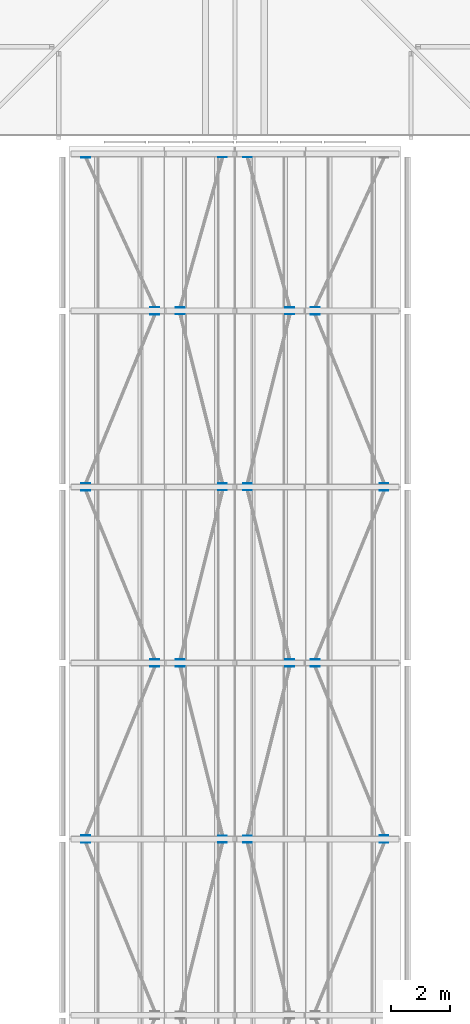
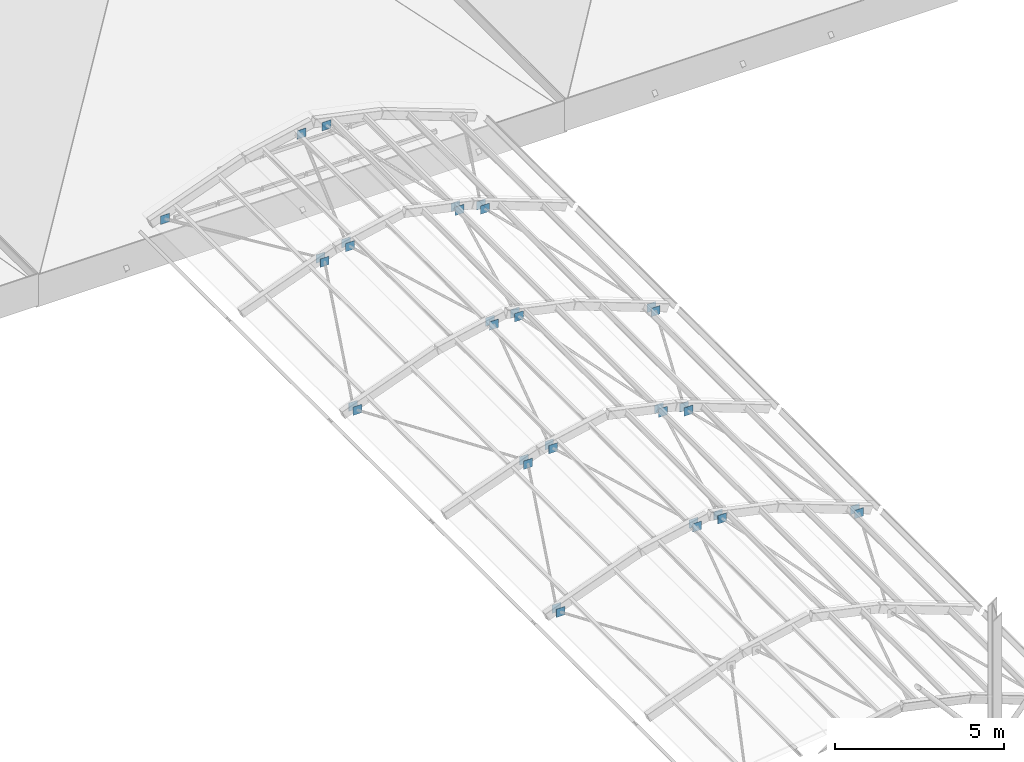
# One storey, part 52 of 57: 35 discrete accessories.
"""IFC4 building model written with IfcOpenShell, lengths in metres."""

from ifc_helpers import new_model, si_unit, direction, frame, origin, origin_2d, place, context, subcontext, project, spatial, rectangle, extrude, material, material_profile, profile_set, type_object, element, save


model = new_model("IFC4")

# Units and contexts
model_context = context("Model", 3, precision=1e-05, world=origin(), true_north=direction((0.0, 1.0)))
body_context = subcontext(model_context, "Body", "Model", "MODEL_VIEW")
ifc_project = project(units=[si_unit("LENGTHUNIT", "METRE"), si_unit("AREAUNIT", "SQUARE_METRE"), si_unit("VOLUMEUNIT", "CUBIC_METRE"), si_unit("PLANEANGLEUNIT", "RADIAN"), si_unit("MASSUNIT", "GRAM", prefix="KILO")], contexts=[model_context])

# Site, building, storey
site_placement = place(None, origin())
site = spatial("IfcSite", under=ifc_project, at=site_placement, CompositionType="ELEMENT")
building_placement = place(site_placement, origin())
building = spatial("IfcBuilding", under=site, at=building_placement, Name="Saffron Lane Theatres", CompositionType="ELEMENT")
storey_placement = place(building_placement, frame((0.0, 0.0, 28.0)))
storey = spatial("IfcBuildingStorey", under=building, at=storey_placement, Name="Upper Roof", CompositionType="ELEMENT", Elevation=28.0)

# Discrete accessories
ifc_material = material(Name="Steel Grade 350", Category="steel")
ifc_material_profile = material_profile(ifc_material, rectangle(XDim=0.300048828125, YDim=0.300048828125, at=origin_2d()))
ifc_profile_set = profile_set([ifc_material_profile], Name="Steel Grade 350")
discrete_accessory_type = type_object("IfcDiscreteAccessoryType", Name="ST-GUSSET CONNECTION PLATE", PredefinedType="BRACKET", material=ifc_profile_set)
for number, where, z_axis, x_axis, name in (
    (1, (27.918212890625, 65.88232421875, 2.097900390625), (0.0, -1.0, 0.0), (1.0, 0.0, 0.0), "GB21"),
    (2, (32.57568359375, 65.888916015625, 3.536865234375), (0.0, -1.0, 0.0), (1.0, 0.0, 0.0), "GB24"),
    (3, (33.42431640625, 65.888916015625, 3.536865234375), (0.0, -1.0, 0.0), (1.0, 0.0, 0.0), "GB25"),
    (4, (38.081787109375, 65.88232421875, 2.097900390625), (0.0, -1.0, 0.0), (1.0, 0.0, 0.0), "GB28"),
    (5, (27.918212890625, 66.11767578125, 2.097900390625), (0.0, 1.0, 0.0), (-1.0, 0.0, 0.0), "GB37"),
    (6, (30.267822265625, 71.88232421875, 2.974853515625), (0.0, -1.0, 0.0), (1.0, 0.0, 0.0), "GB38"),
    (7, (31.132080078125, 71.888916015625, 3.2275390625), (0.0, -1.0, 0.0), (1.0, 0.0, 0.0), "GB39"),
    (8, (32.57568359375, 66.111083984375, 3.536865234375), (0.0, 1.0, 0.0), (-1.0, 0.0, 0.0), "GB40"),
    (9, (33.42431640625, 66.111083984375, 3.536865234375), (0.0, 1.0, 0.0), (-1.0, 0.0, 0.0), "GB41"),
    (10, (34.867919921875, 71.888916015625, 3.2275390625), (0.0, -1.0, 0.0), (1.0, 0.0, 0.0), "GB42"),
    (11, (35.732177734375, 71.88232421875, 2.974853515625), (0.0, -1.0, 0.0), (1.0, 0.0, 0.0), "GB43"),
    (12, (38.081787109375, 66.11767578125, 2.097900390625), (0.0, 1.0, 0.0), (-1.0, 0.0, 0.0), "GB44"),
    (13, (27.918212890625, 77.88232421875, 2.097900390625), (0.0, -1.0, 0.0), (1.0, 0.0, 0.0), "GB53"),
    (14, (30.267822265625, 72.11767578125, 2.974853515625), (0.0, 1.0, 0.0), (-1.0, 0.0, 0.0), "GB54"),
    (15, (31.132080078125, 72.111083984375, 3.2275390625), (0.0, 1.0, 0.0), (-1.0, 0.0, 0.0), "GB55"),
    (16, (32.57568359375, 77.888916015625, 3.536865234375), (0.0, -1.0, 0.0), (1.0, 0.0, 0.0), "GB56"),
    (17, (33.42431640625, 77.888916015625, 3.536865234375), (0.0, -1.0, 0.0), (1.0, 0.0, 0.0), "GB57"),
    (18, (34.867919921875, 72.111083984375, 3.2275390625), (0.0, 1.0, 0.0), (-1.0, 0.0, 0.0), "GB58"),
    (19, (35.732177734375, 72.11767578125, 2.974853515625), (0.0, 1.0, 0.0), (-1.0, 0.0, 0.0), "GB59"),
    (20, (38.081787109375, 77.88232421875, 2.097900390625), (0.0, -1.0, 0.0), (1.0, 0.0, 0.0), "GB60"),
    (21, (27.918212890625, 78.11767578125, 2.097900390625), (0.0, 1.0, 0.0), (-1.0, 0.0, 0.0), "GB69"),
    (22, (30.267822265625, 83.88232421875, 2.974853515625), (0.0, -1.0, 0.0), (1.0, 0.0, 0.0), "GB70"),
    (23, (31.132080078125, 83.888916015625, 3.2275390625), (0.0, -1.0, 0.0), (1.0, 0.0, 0.0), "GB71"),
    (24, (32.57568359375, 78.111083984375, 3.536865234375), (0.0, 1.0, 0.0), (-1.0, 0.0, 0.0), "GB72"),
    (25, (33.42431640625, 78.111083984375, 3.536865234375), (0.0, 1.0, 0.0), (-1.0, 0.0, 0.0), "GB73"),
    (26, (34.867919921875, 83.888916015625, 3.2275390625), (0.0, -1.0, 0.0), (1.0, 0.0, 0.0), "GB74"),
    (27, (35.732177734375, 83.88232421875, 2.974853515625), (0.0, -1.0, 0.0), (1.0, 0.0, 0.0), "GB75"),
    (28, (38.081787109375, 78.11767578125, 2.097900390625), (0.0, 1.0, 0.0), (-1.0, 0.0, 0.0), "GB76"),
    (29, (27.92041015625, 89.23046875, 2.0986328125), (0.0, -1.0, 0.0), (1.0, 0.0, 0.0), "GB85"),
    (30, (30.265625, 84.11962890625, 2.973876953125), (0.0, 1.0, 0.0), (-1.0, 0.0, 0.0), "GB86"),
    (31, (31.13330078125, 84.1123046875, 3.227783203125), (0.0, 1.0, 0.0), (-1.0, 0.0, 0.0), "GB87"),
):
    element("IfcDiscreteAccessory", number, at=place(storey_placement, frame(where, z_axis=z_axis, x_axis=x_axis)), inside=storey, type_object=discrete_accessory_type, Name=name, PredefinedType="BRACKET", context=body_context, shape_type="SweptSolid", body=[
        extrude(rectangle(XDim=0.300048828125, YDim=0.300048828125, at=origin_2d()), origin(), (0.0, 0.0, 1.0), 0.010009765625),
    ])
for number, where, z_axis, x_axis, name in (
    (32, (32.57470703125, 89.237548828125, 3.53662109375), (0.0, -1.0, 0.0), (1.0, 0.0, 0.0), "GB88"),
    (33, (33.42529296875, 89.237548828125, 3.53662109375), (0.0, -1.0, 0.0), (1.0, 0.0, 0.0), "GB89"),
):
    element("IfcDiscreteAccessory", number, at=place(storey_placement, frame(where, z_axis=z_axis, x_axis=x_axis)), inside=storey, type_object=discrete_accessory_type, Name=name, PredefinedType="BRACKET", context=body_context, shape_type="SweptSolid", body=[
        extrude(rectangle(XDim=0.300048828125, YDim=0.300048828125, at=origin_2d()), origin(), (0.0, 0.0, 1.0), 0.009765625),
    ])
for number, where, z_axis, x_axis, name in (
    (34, (34.86669921875, 84.1123046875, 3.227783203125), (0.0, 1.0, 0.0), (-1.0, 0.0, 0.0), "GB90"),
    (35, (35.734375, 84.11962890625, 2.973876953125), (0.0, 1.0, 0.0), (-1.0, 0.0, 0.0), "GB91"),
):
    element("IfcDiscreteAccessory", number, at=place(storey_placement, frame(where, z_axis=z_axis, x_axis=x_axis)), inside=storey, type_object=discrete_accessory_type, Name=name, PredefinedType="BRACKET", context=body_context, shape_type="SweptSolid", body=[
        extrude(rectangle(XDim=0.300048828125, YDim=0.300048828125, at=origin_2d()), origin(), (0.0, 0.0, 1.0), 0.010009765625),
    ])

save(model, "model.ifc")
